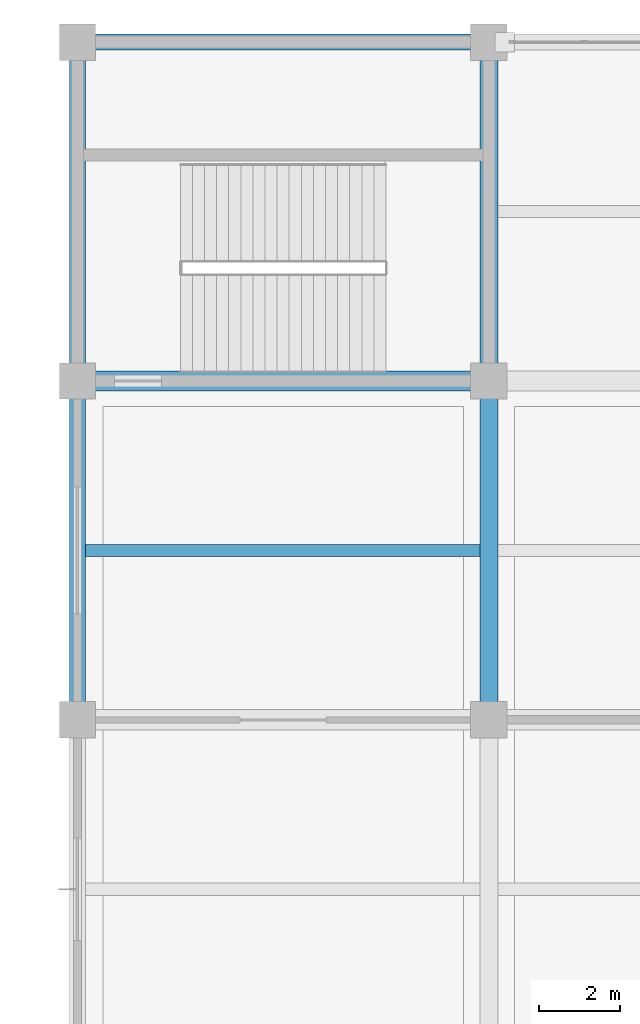
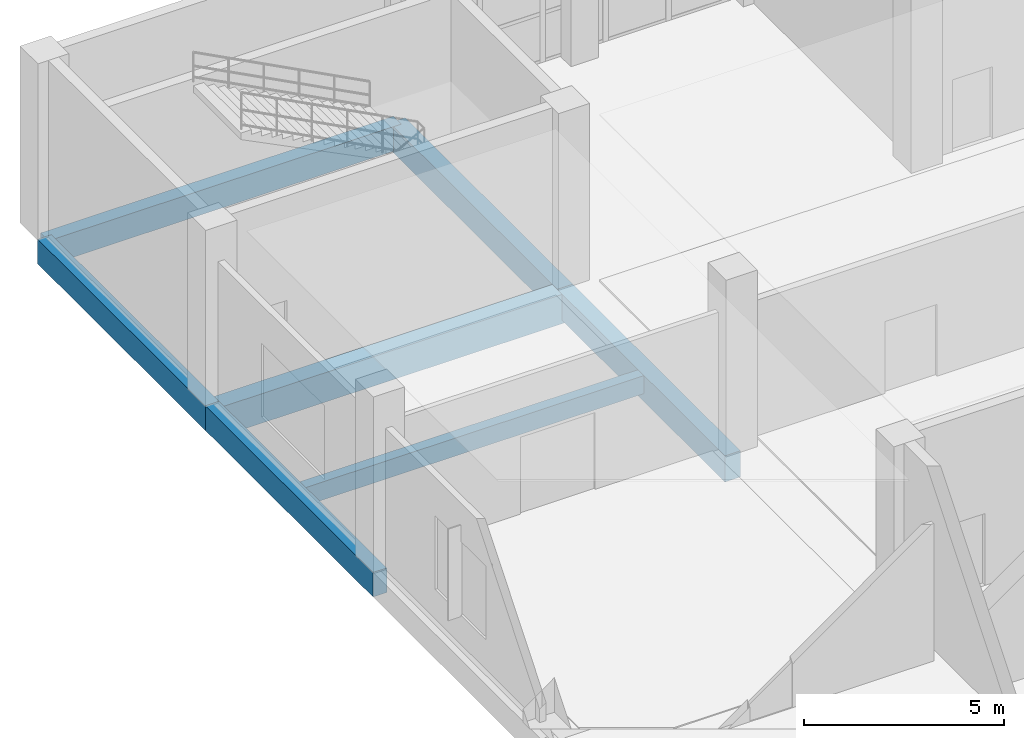
# One storey, part 83 of 175: 7 beams.
"""IFC4 building model written with IfcOpenShell, lengths in metres."""

from ifc_helpers import new_model, si_unit, direction, frame, origin, origin_2d, place, context, subcontext, project, spatial, rectangle, extrude, material, material_profile, profile_set, type_object, element, save


model = new_model("IFC4")

# Units and contexts
model_context = context("Model", 3, precision=1e-05, world=origin(), true_north=direction((0.0, 1.0)))
body_context = subcontext(model_context, "Body", "Model", "MODEL_VIEW")
ifc_project = project(units=[si_unit("LENGTHUNIT", "METRE"), si_unit("AREAUNIT", "SQUARE_METRE"), si_unit("VOLUMEUNIT", "CUBIC_METRE"), si_unit("PLANEANGLEUNIT", "RADIAN"), si_unit("MASSUNIT", "GRAM", prefix="KILO")], contexts=[model_context])

# Site, building, storey
site_placement = place(None, origin())
site = spatial("IfcSite", under=ifc_project, at=site_placement, CompositionType="ELEMENT")
building_placement = place(site_placement, origin())
building = spatial("IfcBuilding", under=site, at=building_placement, Name="Brelvane Convention Centre", CompositionType="ELEMENT")
storey_placement = place(building_placement, frame((0.0, 0.0, 5.39990234375)))
storey = spatial("IfcBuildingStorey", under=building, at=storey_placement, Name="L01", CompositionType="ELEMENT", Elevation=5.39990234375)

# Beams
ifc_material_1 = material(Name="Concrete M40", Category="concrete")
ifc_material_profile_1 = material_profile(ifc_material_1, rectangle(XDim=0.5, YDim=0.89990234375, at=origin_2d()), Name="RC 500x900")
ifc_profile_set_1 = profile_set([ifc_material_profile_1], Name="Concrete M40")
beam_type_1 = type_object("IfcBeamType", Name="RC Beam B-RC4 (RC 500x900)", PredefinedType="BEAM", material=ifc_profile_set_1)
beam_1_placement = place(storey_placement, frame((0.0, 135.60009765625, -0.77001953125), z_axis=(1.0, 0.0, 0.0), x_axis=(0.0, 1.0, 0.0)))
element("IfcBeam", 1, at=beam_1_placement, inside=storey, type_object=beam_type_1, Name="L01 Beam 1-2/P", PredefinedType="BEAM", context=body_context, shape_type="SweptSolid", body=[
    extrude(rectangle(XDim=0.5, YDim=0.89990234375, at=origin_2d()), origin(), (0.0, 0.0, 1.0), 10.199951171875),
])
ifc_material_2 = material(Name="Concrete M40", Category="concrete")
ifc_material_profile_2 = material_profile(ifc_material_2, rectangle(XDim=0.449951171875, YDim=0.800048828125, at=origin_2d()), Name="RC 450x800")
ifc_profile_set_2 = profile_set([ifc_material_profile_2], Name="Concrete M40")
beam_type_2 = type_object("IfcBeamType", Name="RC Beam B-RC5 (RC 450x800)", PredefinedType="BEAM", material=ifc_profile_set_2)
beam_2_placement = place(storey_placement, frame((10.199951171875, 127.199951171875, -0.719970703125), z_axis=(0.0, 1.0, 0.0), x_axis=(-1.0, 0.0, 0.0)))
element("IfcBeam", 2, at=beam_2_placement, inside=storey, type_object=beam_type_2, Name="L01 Girder 2/N-P", PredefinedType="BEAM", context=body_context, shape_type="SweptSolid", body=[
    extrude(rectangle(XDim=0.449951171875, YDim=0.800048828125, at=origin_2d()), origin(), (0.0, 0.0, 1.0), 8.400146484375),
])
beam_3_placement = place(storey_placement, frame((10.199951171875, 135.60009765625, -0.719970703125), z_axis=(0.0, 1.0, 0.0), x_axis=(-1.0, 0.0, 0.0)))
element("IfcBeam", 3, at=beam_3_placement, inside=storey, type_object=beam_type_2, Name="L01 Girder 2/P-Q", PredefinedType="BEAM", context=body_context, shape_type="SweptSolid", body=[
    extrude(rectangle(XDim=0.449951171875, YDim=0.800048828125, at=origin_2d()), origin(), (0.0, 0.0, 1.0), 8.39990234375),
])
ifc_material_3 = material(Name="Concrete M40", Category="concrete")
ifc_material_profile_3 = material_profile(ifc_material_3, rectangle(XDim=0.300048828125, YDim=0.550048828125, at=origin_2d()), Name="RC 300x550")
ifc_profile_set_3 = profile_set([ifc_material_profile_3], Name="Concrete M40")
beam_type_3 = type_object("IfcBeamType", Name="RC Joist J-RC1 (RC 300x550)", PredefinedType="JOIST", material=ifc_profile_set_3)
beam_4_placement = place(storey_placement, frame((0.199951171875, 131.39990234375, -0.594970703125), z_axis=(1.0, 0.0, 0.0), x_axis=(0.0, 1.0, 0.0)))
element("IfcBeam", 4, at=beam_4_placement, inside=storey, type_object=beam_type_3, Name="L01 Secondary Joist 1-2/NP", PredefinedType="JOIST", context=body_context, shape_type="SweptSolid", body=[
    extrude(rectangle(XDim=0.300048828125, YDim=0.550048828125, at=origin_2d()), origin(), (0.0, 0.0, 1.0), 9.775146484375),
])
ifc_material_4 = material(Name="Concrete M40", Category="concrete")
ifc_material_profile_4 = material_profile(ifc_material_4, rectangle(XDim=0.39990234375, YDim=0.75, at=origin_2d()), Name="RC 400x750")
ifc_profile_set_4 = profile_set([ifc_material_profile_4], Name="Concrete M40")
beam_type_4 = type_object("IfcBeamType", Name="RC Spandrel SP-RC1 (RC 400x750)", PredefinedType="SPANDREL", material=ifc_profile_set_4)
beam_5_placement = place(storey_placement, frame((0.0, 144.0, -0.69482421875), z_axis=(1.0, 0.0, 0.0), x_axis=(0.0, 1.0, 0.0)))
element("IfcBeam", 5, at=beam_5_placement, inside=storey, type_object=beam_type_4, Name="L01 Beam 1-2/Q", PredefinedType="SPANDREL", context=body_context, shape_type="SweptSolid", body=[
    extrude(rectangle(XDim=0.39990234375, YDim=0.75, at=origin_2d()), origin(), (0.0, 0.0, 1.0), 10.199951171875),
])
beam_6_placement = place(storey_placement, frame((0.0, 127.199951171875, -0.69482421875), z_axis=(0.0, 1.0, 0.0), x_axis=(-1.0, 0.0, 0.0)))
element("IfcBeam", 6, at=beam_6_placement, inside=storey, type_object=beam_type_4, Name="L01 Girder 1/N-P", PredefinedType="SPANDREL", context=body_context, shape_type="SweptSolid", body=[
    extrude(rectangle(XDim=0.39990234375, YDim=0.75, at=origin_2d()), origin(), (0.0, 0.0, 1.0), 8.400146484375),
])
beam_7_placement = place(storey_placement, frame((0.0, 135.60009765625, -0.69482421875), z_axis=(0.0, 1.0, 0.0), x_axis=(-1.0, 0.0, 0.0)))
element("IfcBeam", 7, at=beam_7_placement, inside=storey, type_object=beam_type_4, Name="L01 Girder 1/P-Q", PredefinedType="SPANDREL", context=body_context, shape_type="SweptSolid", body=[
    extrude(rectangle(XDim=0.39990234375, YDim=0.75, at=origin_2d()), origin(), (0.0, 0.0, 1.0), 8.39990234375),
])

save(model, "model.ifc")
